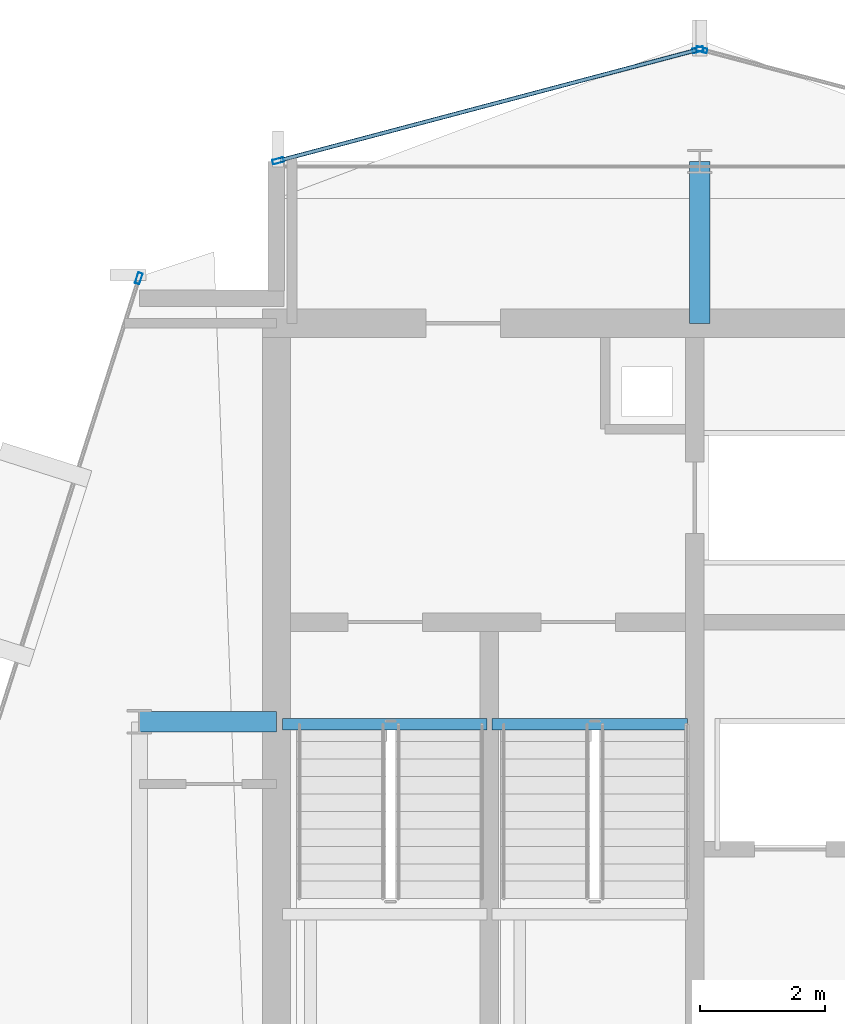
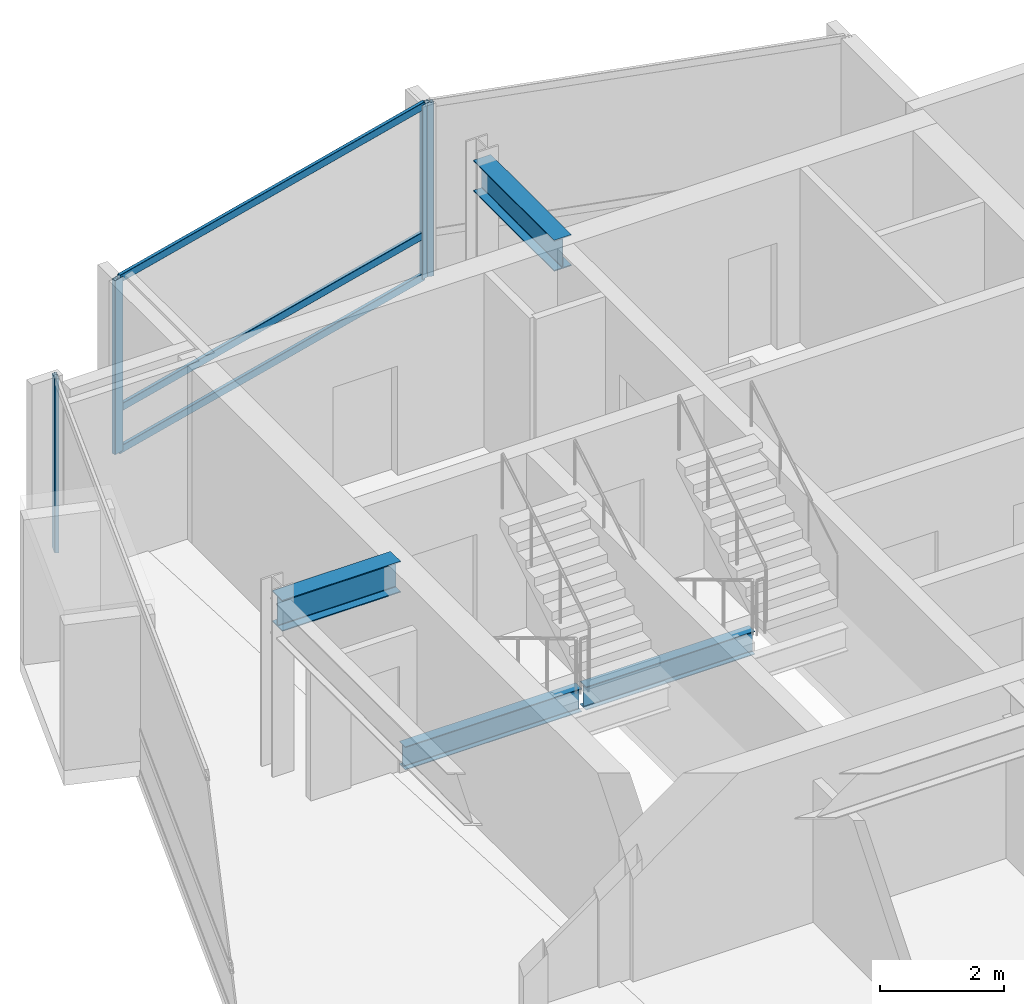
# One storey, part 11 of 19: 7 members, 4 beams, 3 elements without a shape of their own.
"""IFC4 building model written with IfcOpenShell, lengths in metres."""

from ifc_helpers import new_model, si_unit, direction, frame, origin, origin_2d, place, context, subcontext, project, spatial, hollow_rectangle, i_section, extrude, material, layer, layer_set, material_profile, profile_set, type_object, element, aggregate, save


model = new_model("IFC4")

# Units and contexts
model_context = context("Model", 3, precision=1e-05, world=origin(), true_north=direction((0.0, 1.0)))
body_context = subcontext(model_context, "Body", "Model", "MODEL_VIEW")
ifc_project = project(units=[si_unit("LENGTHUNIT", "METRE"), si_unit("AREAUNIT", "SQUARE_METRE"), si_unit("VOLUMEUNIT", "CUBIC_METRE"), si_unit("PLANEANGLEUNIT", "RADIAN"), si_unit("MASSUNIT", "GRAM", prefix="KILO")], contexts=[model_context])

# Site, building, storey
site_placement = place(None, origin())
site = spatial("IfcSite", under=ifc_project, at=site_placement, CompositionType="ELEMENT")
building_placement = place(site_placement, origin())
building = spatial("IfcBuilding", under=site, at=building_placement, Name="Solvaryn Broadcast Tower", CompositionType="ELEMENT")
storey_placement = place(building_placement, frame((0.0, 0.0, 248.199951171875)))
storey = spatial("IfcBuildingStorey", under=building, at=storey_placement, Name="L62", CompositionType="ELEMENT", Elevation=248.199951171875)

# Beams
ifc_material_1 = material(Name="Steel ASTM A992 Grade 50", Category="steel")
ifc_material_profile_1 = material_profile(ifc_material_1, i_section(OverallWidth=0.323974609375, OverallDepth=0.611083984375, WebThickness=0.0126953125, FlangeThickness=0.01904296875, FilletRadius=0.014892578125, at=origin_2d()))
ifc_profile_set_1 = profile_set([ifc_material_profile_1], Name="Steel ASTM A992 Grade 50")
beam_type_1 = type_object("IfcBeamType", Name="BM-B1-W24X104", PredefinedType="BEAM", material=ifc_profile_set_1)
beam_1_placement = place(storey_placement, frame((9.0, 36.0, 3.114501953125), z_axis=(1.0, 0.0, 0.0), x_axis=(0.0, 1.0, 0.0)))
element("IfcBeam", 1, at=beam_1_placement, inside=storey, type_object=beam_type_1, Name="L62 Core Tie Beam CTW1", PredefinedType="BEAM", context=body_context, shape_type="SweptSolid", body=[
    extrude(i_section(OverallWidth=0.323974609375, OverallDepth=0.611083984375, WebThickness=0.0126953125, FlangeThickness=0.01904296875, FilletRadius=0.014892578125, at=origin_2d()), origin(), (0.0, 0.0, 1.0), 2.199951171875),
])
beam_2_placement = place(storey_placement, frame((18.0, 42.39990234375, 3.114501953125), z_axis=(0.0, 1.0, 0.0), x_axis=(-1.0, 0.0, 0.0)))
element("IfcBeam", 2, at=beam_2_placement, inside=storey, type_object=beam_type_1, Name="L62 Core Tie Beam CTW3", PredefinedType="BEAM", context=body_context, shape_type="SweptSolid", body=[
    extrude(i_section(OverallWidth=0.323974609375, OverallDepth=0.611083984375, WebThickness=0.0126953125, FlangeThickness=0.01904296875, FilletRadius=0.014892578125, at=origin_2d()), origin(), (0.0, 0.0, 1.0), 2.60009765625),
])
ifc_material_2 = material(Name="Steel ASTM A992 Grade 50", Category="steel")
ifc_material_profile_2 = material_profile(ifc_material_2, i_section(OverallWidth=0.18994140625, OverallDepth=0.45703125, WebThickness=0.009033203125, FlangeThickness=0.014404296875, FilletRadius=0.011962890625, at=origin_2d()))
ifc_profile_set_2 = profile_set([ifc_material_profile_2], Name="Steel ASTM A992 Grade 50")
beam_type_2 = type_object("IfcBeamType", Name="BM-B4-W18X50", PredefinedType="BEAM", material=ifc_profile_set_2)
beam_3_placement = place(storey_placement, frame((11.300048828125, 35.9599609375, -0.508544921875), z_axis=(1.0, 0.0, 0.0), x_axis=(0.0, 1.0, 0.0)))
element("IfcBeam", 3, at=beam_3_placement, inside=storey, type_object=beam_type_2, Name="L62 ST1 Stair Well Trimmer Beam", PredefinedType="BEAM", context=body_context, shape_type="SweptSolid", body=[
    extrude(i_section(OverallWidth=0.18994140625, OverallDepth=0.45703125, WebThickness=0.009033203125, FlangeThickness=0.014404296875, FilletRadius=0.011962890625, at=origin_2d()), origin(), (0.0, 0.0, 1.0), 3.280029296875),
])
beam_4_placement = place(storey_placement, frame((14.659912109375, 35.9599609375, -0.508544921875), z_axis=(1.0, 0.0, 0.0), x_axis=(0.0, 1.0, 0.0)))
element("IfcBeam", 4, at=beam_4_placement, inside=storey, type_object=beam_type_2, Name="L62 ST2 Stair Well Trimmer Beam", PredefinedType="BEAM", context=body_context, shape_type="SweptSolid", body=[
    extrude(i_section(OverallWidth=0.18994140625, OverallDepth=0.45703125, WebThickness=0.009033203125, FlangeThickness=0.014404296875, FilletRadius=0.011962890625, at=origin_2d()), origin(), (0.0, 0.0, 1.0), 3.14013671875),
])

# Curtain wall, member
ifc_material_3 = material(Name="Aluminium and Terracotta Unitised Curtain Wall", Category="masonry")
ifc_layer = layer(ifc_material_3, 0.199951171875)
ifc_layer_set = layer_set([ifc_layer], Name="CW-SYS2-LOWMID")
curtain_wall_type = type_object("IfcCurtainWallType", Name="CW-SYS2-LOWMID", PredefinedType="NOTDEFINED", material=ifc_layer_set)
curtain_wall_1_placement = place(storey_placement, origin())
curtain_wall_1 = element("IfcCurtainWall", 5, at=curtain_wall_1_placement, inside=storey, type_object=curtain_wall_type, Name="L62 Curtain Wall DR1", PredefinedType="NOTDEFINED")
ifc_material_4 = material(Name="Anodised Aluminium 6063-T6", Category="aluminium")
ifc_material_profile_3 = material_profile(ifc_material_4, hollow_rectangle(XDim=0.074951171875, YDim=0.179931640625, WallThickness=0.00390625, InnerFilletRadius=0.00390625, OuterFilletRadius=0.008056640625, at=origin_2d()))
ifc_profile_set_3 = profile_set([ifc_material_profile_3], Name="Anodised Aluminium 6063-T6")
member_type_1 = type_object("IfcMemberType", Name="CW-MUL-180", PredefinedType="MULLION", material=ifc_profile_set_3)
member_1_placement = place(storey_placement, frame((8.990966796875, 43.120361328125, 0.0), z_axis=(0.0, 0.0, 1.0), x_axis=(0.952794594701, -0.30361564569, 0.0)))
member_1 = element("IfcMember", 6, at=member_1_placement, type_object=member_type_1, Name="CWS2 mullion 1", PredefinedType="MULLION", context=body_context, shape_type="SweptSolid", body=[
    extrude(hollow_rectangle(XDim=0.074951171875, YDim=0.179931640625, WallThickness=0.00390625, InnerFilletRadius=0.00390625, OuterFilletRadius=0.008056640625, at=origin_2d()), origin(), (0.0, 0.0, 1.0), 3.420166015625),
])
aggregate(curtain_wall_1, [member_1])

curtain_wall_2_placement = place(storey_placement, origin())
curtain_wall_2 = element("IfcCurtainWall", 7, at=curtain_wall_2_placement, inside=storey, type_object=curtain_wall_type, Name="L62 Curtain Wall NT1", PredefinedType="NOTDEFINED")
member_2_placement = place(storey_placement, frame((18.029052734375, 46.792236328125, 0.0), z_axis=(0.0, 0.0, 1.0), x_axis=(-0.25589256031, -0.966705227863, 0.0)))
member_2 = element("IfcMember", 8, at=member_2_placement, type_object=member_type_1, Name="CWS2 mullion 2", PredefinedType="MULLION", context=body_context, shape_type="SweptSolid", body=[
    extrude(hollow_rectangle(XDim=0.074951171875, YDim=0.179931640625, WallThickness=0.00390625, InnerFilletRadius=0.00390625, OuterFilletRadius=0.008056640625, at=origin_2d()), origin(), (0.0, 0.0, 1.0), 3.420166015625),
])
aggregate(curtain_wall_2, [member_2])

# Curtain wall, members
curtain_wall_3_placement = place(storey_placement, origin())
curtain_wall_3 = element("IfcCurtainWall", 9, at=curtain_wall_3_placement, inside=storey, type_object=curtain_wall_type, Name="L62 Curtain Wall NT2", PredefinedType="NOTDEFINED")
member_3_placement = place(storey_placement, frame((17.970947265625, 46.792236328125, 0.0), z_axis=(0.0, 0.0, 1.0), x_axis=(0.25589256031, -0.966705227863, 0.0)))
member_3 = element("IfcMember", 10, at=member_3_placement, type_object=member_type_1, Name="CWS2 mullion 1", PredefinedType="MULLION", context=body_context, shape_type="SweptSolid", body=[
    extrude(hollow_rectangle(XDim=0.074951171875, YDim=0.179931640625, WallThickness=0.00390625, InnerFilletRadius=0.00390625, OuterFilletRadius=0.008056640625, at=origin_2d()), origin(), (0.0, 0.0, 1.0), 3.420166015625),
])
member_4_placement = place(storey_placement, frame((11.22900390625, 45.007568359375, 0.0), z_axis=(0.0, 0.0, 1.0), x_axis=(0.25589256031, -0.966705227863, 0.0)))
member_4 = element("IfcMember", 11, at=member_4_placement, type_object=member_type_1, Name="CWS2 mullion 2", PredefinedType="MULLION", context=body_context, shape_type="SweptSolid", body=[
    extrude(hollow_rectangle(XDim=0.074951171875, YDim=0.179931640625, WallThickness=0.00390625, InnerFilletRadius=0.00390625, OuterFilletRadius=0.008056640625, at=origin_2d()), origin(), (0.0, 0.0, 1.0), 3.420166015625),
])
ifc_material_5 = material(Name="Anodised Aluminium 6063-T6", Category="aluminium")
ifc_material_profile_4 = material_profile(ifc_material_5, hollow_rectangle(XDim=0.06494140625, YDim=0.14990234375, WallThickness=0.00390625, InnerFilletRadius=0.00390625, OuterFilletRadius=0.008056640625, at=origin_2d()))
ifc_profile_set_4 = profile_set([ifc_material_profile_4], Name="Anodised Aluminium 6063-T6")
member_type_2 = type_object("IfcMemberType", Name="CW-TRN-150", PredefinedType="USERDEFINED", material=ifc_profile_set_4)
member_5_placement = place(storey_placement, frame((17.94189453125, 46.78466796875, 0.030029296875), z_axis=(-0.966703943301, -0.255897413051, 0.0), x_axis=(0.255897413051, -0.966703943301, 0.0)))
member_5 = element("IfcMember", 12, at=member_5_placement, type_object=member_type_2, Name="CWS2 transom 1.1", ObjectType="TRANSOM", PredefinedType="USERDEFINED", context=body_context, shape_type="SweptSolid", body=[
    extrude(hollow_rectangle(XDim=0.06494140625, YDim=0.14990234375, WallThickness=0.00390625, InnerFilletRadius=0.00390625, OuterFilletRadius=0.008056640625, at=origin_2d()), origin(), (0.0, 0.0, 1.0), 6.9140625),
])
member_6_placement = place(storey_placement, frame((17.94189453125, 46.78466796875, 0.85009765625), z_axis=(-0.966703943301, -0.255897413051, 0.0), x_axis=(0.255897413051, -0.966703943301, 0.0)))
member_6 = element("IfcMember", 13, at=member_6_placement, type_object=member_type_2, Name="CWS2 transom 1.2", ObjectType="TRANSOM", PredefinedType="USERDEFINED", context=body_context, shape_type="SweptSolid", body=[
    extrude(hollow_rectangle(XDim=0.06494140625, YDim=0.14990234375, WallThickness=0.00390625, InnerFilletRadius=0.00390625, OuterFilletRadius=0.008056640625, at=origin_2d()), origin(), (0.0, 0.0, 1.0), 6.9140625),
])
member_7_placement = place(storey_placement, frame((17.94189453125, 46.78466796875, 3.39013671875), z_axis=(-0.966703943301, -0.255897413051, 0.0), x_axis=(0.255897413051, -0.966703943301, 0.0)))
member_7 = element("IfcMember", 14, at=member_7_placement, type_object=member_type_2, Name="CWS2 transom 1.3", ObjectType="TRANSOM", PredefinedType="USERDEFINED", context=body_context, shape_type="SweptSolid", body=[
    extrude(hollow_rectangle(XDim=0.06494140625, YDim=0.14990234375, WallThickness=0.00390625, InnerFilletRadius=0.00390625, OuterFilletRadius=0.008056640625, at=origin_2d()), origin(), (0.0, 0.0, 1.0), 6.9140625),
])
aggregate(curtain_wall_3, [member_3, member_4, member_5, member_6, member_7])

save(model, "model.ifc")
